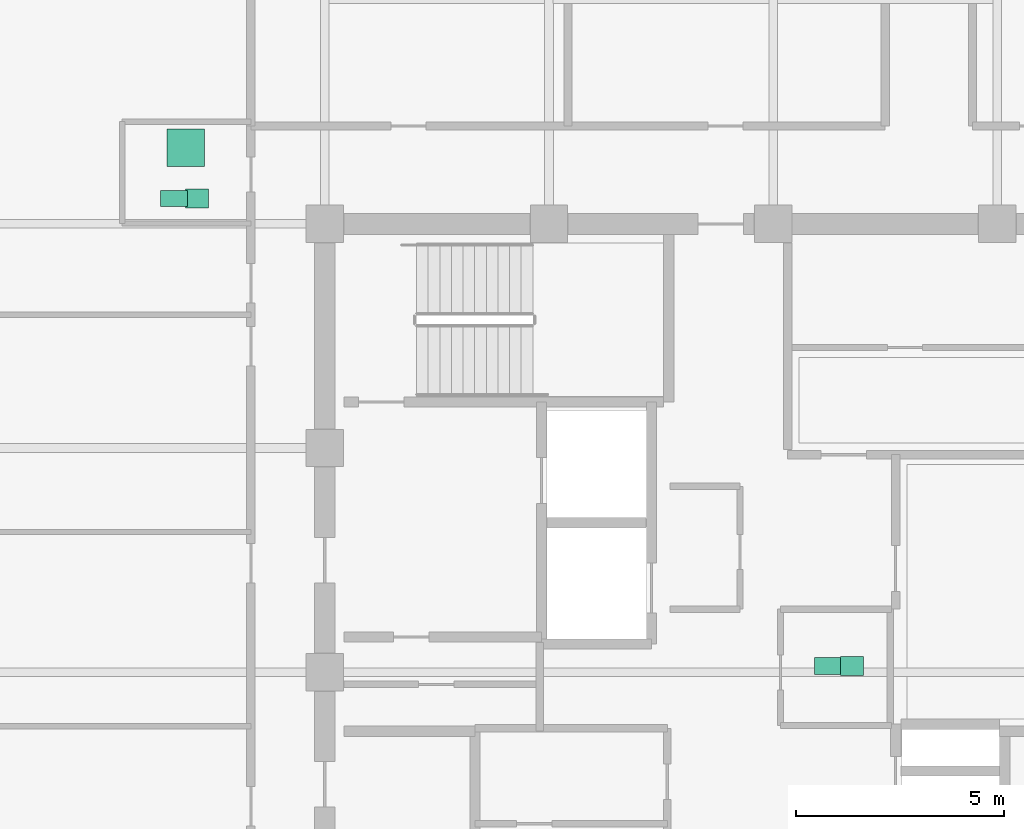
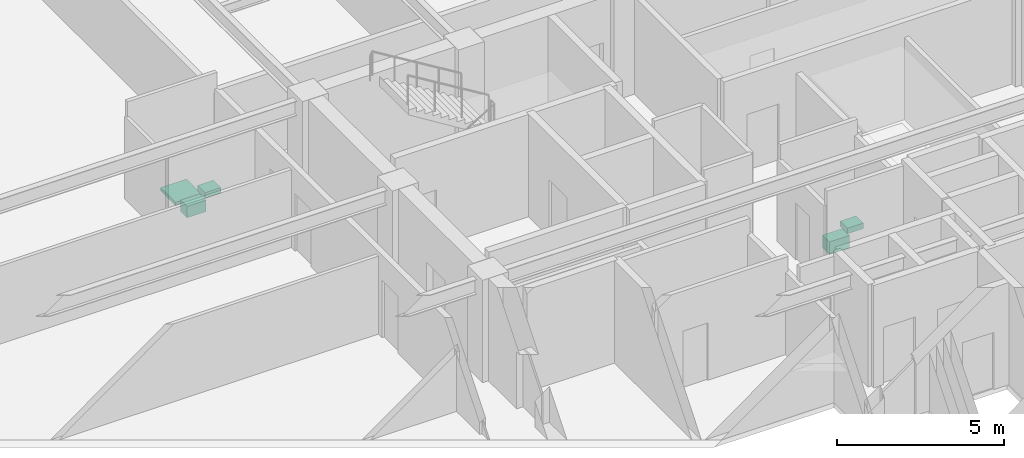
# One storey, part 31 of 31: 5 sanitary terminals.
"""IFC4 building model written with IfcOpenShell, lengths in metres."""

from ifc_helpers import new_model, si_unit, direction, frame, origin, origin_2d, place, context, subcontext, project, spatial, rectangle, extrude, material, type_object, element, save


model = new_model("IFC4")

# Units and contexts
model_context = context("Model", 3, precision=1e-05, world=origin(), true_north=direction((0.0, 1.0)))
body_context = subcontext(model_context, "Body", "Model", "MODEL_VIEW")
ifc_project = project(units=[si_unit("LENGTHUNIT", "METRE"), si_unit("AREAUNIT", "SQUARE_METRE"), si_unit("VOLUMEUNIT", "CUBIC_METRE"), si_unit("PLANEANGLEUNIT", "RADIAN"), si_unit("MASSUNIT", "GRAM", prefix="KILO")], contexts=[model_context])

# Site, building, storey
site_placement = place(None, origin())
site = spatial("IfcSite", under=ifc_project, at=site_placement, CompositionType="ELEMENT")
building_placement = place(site_placement, origin())
building = spatial("IfcBuilding", under=site, at=building_placement, Name="Surkhivell Harbour Commons", CompositionType="ELEMENT")
storey_placement = place(building_placement, frame((0.0, 0.0, 322.5)))
storey = spatial("IfcBuildingStorey", under=building, at=storey_placement, Name="L84", CompositionType="ELEMENT", Elevation=322.5)

# Sanitary terminals
ifc_material_1 = material(Name="Vitreous china washbasin", Category="other")
sanitary_terminal_type_1 = type_object("IfcSanitaryTerminalType", Name="SAN-BSN", PredefinedType="WASHHANDBASIN", material=ifc_material_1)
for number, where, z_axis, x_axis, name in (
    (1, (1.89990234375, 0.14990234375, 0.72021484375), (0.0, 0.0, 1.0), (1.0, 0.0, 0.0), "L84 Core Accessible WC Washbasin"),
    (2, (-13.8798828125, 11.409912109375, 0.72021484375), (0.0, 0.0, 1.0), (1.0, 0.0, 0.0), "L84 West Communal Bathroom WC Washbasin"),
):
    element("IfcSanitaryTerminal", number, at=place(storey_placement, frame(where, z_axis=z_axis, x_axis=x_axis)), inside=storey, type_object=sanitary_terminal_type_1, Name=name, PredefinedType="WASHHANDBASIN", context=body_context, shape_type="SweptSolid", body=[
        extrude(rectangle(XDim=0.550048828125, YDim=0.449951171875, at=origin_2d()), origin(), (0.0, 0.0, 1.0), 0.199951171875),
    ])
ifc_material_2 = material(Name="Glazed porcelain shower tray", Category="other")
sanitary_terminal_type_2 = type_object("IfcSanitaryTerminalType", Name="SAN-SHW", PredefinedType="SHOWER", material=ifc_material_2)
sanitary_terminal_1_placement = place(storey_placement, frame((-14.14990234375, 12.6298828125, 0.0), z_axis=(0.0, 0.0, 1.0), x_axis=(1.0, 0.0, 0.0)))
element("IfcSanitaryTerminal", 3, at=sanitary_terminal_1_placement, inside=storey, type_object=sanitary_terminal_type_2, Name="L84 West Communal Shower Tray", PredefinedType="SHOWER", context=body_context, shape_type="SweptSolid", body=[
    extrude(rectangle(XDim=0.89990234375, YDim=0.89990234375, at=origin_2d()), origin(), (0.0, 0.0, 1.0), 0.1201171875),
])
ifc_material_3 = material(Name="Vitreous china sanitaryware", Category="other")
sanitary_terminal_type_3 = type_object("IfcSanitaryTerminalType", Name="SAN-WC-ACC", PredefinedType="TOILETPAN", material=ifc_material_3)
sanitary_terminal_2_placement = place(storey_placement, frame((1.35009765625, 0.14990234375, 0.169921875), z_axis=(0.0, 0.0, 1.0), x_axis=(1.0, 0.0, 0.0)))
element("IfcSanitaryTerminal", 4, at=sanitary_terminal_2_placement, inside=storey, type_object=sanitary_terminal_type_3, Name="L84 Core Accessible WC", PredefinedType="TOILETPAN", context=body_context, shape_type="SweptSolid", body=[
    extrude(rectangle(XDim=0.699951171875, YDim=0.419921875, at=origin_2d()), origin(), (0.0, 0.0, 1.0), 0.4599609375),
])
sanitary_terminal_type_4 = type_object("IfcSanitaryTerminalType", Name="SAN-WC-STD", PredefinedType="TOILETPAN", material=ifc_material_3)
sanitary_terminal_3_placement = place(storey_placement, frame((-14.429931640625, 11.409912109375, 0.18994140625), z_axis=(0.0, 0.0, 1.0), x_axis=(1.0, 0.0, 0.0)))
element("IfcSanitaryTerminal", 5, at=sanitary_terminal_3_placement, inside=storey, type_object=sanitary_terminal_type_4, Name="L84 West Communal Bathroom WC", PredefinedType="TOILETPAN", context=body_context, shape_type="SweptSolid", body=[
    extrude(rectangle(XDim=0.64990234375, YDim=0.3798828125, at=origin_2d()), origin(), (0.0, 0.0, 1.0), 0.419921875),
])

save(model, "model.ifc")
